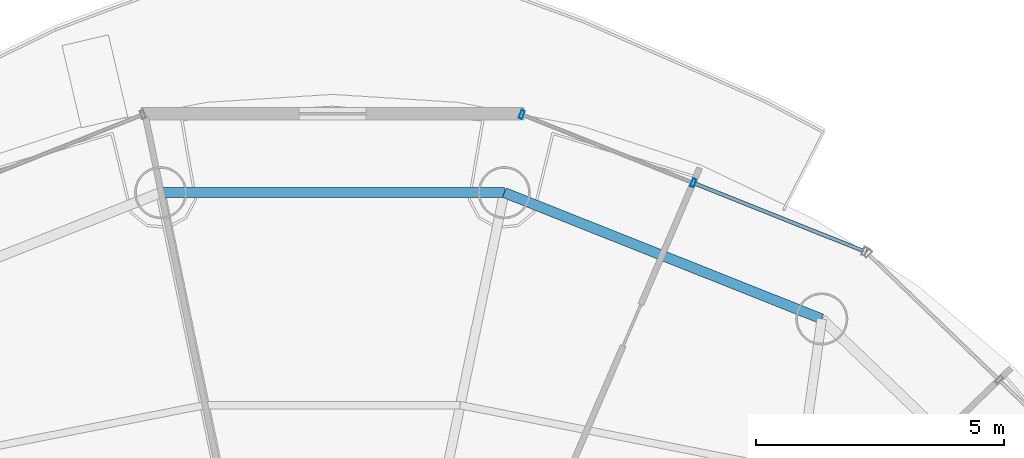
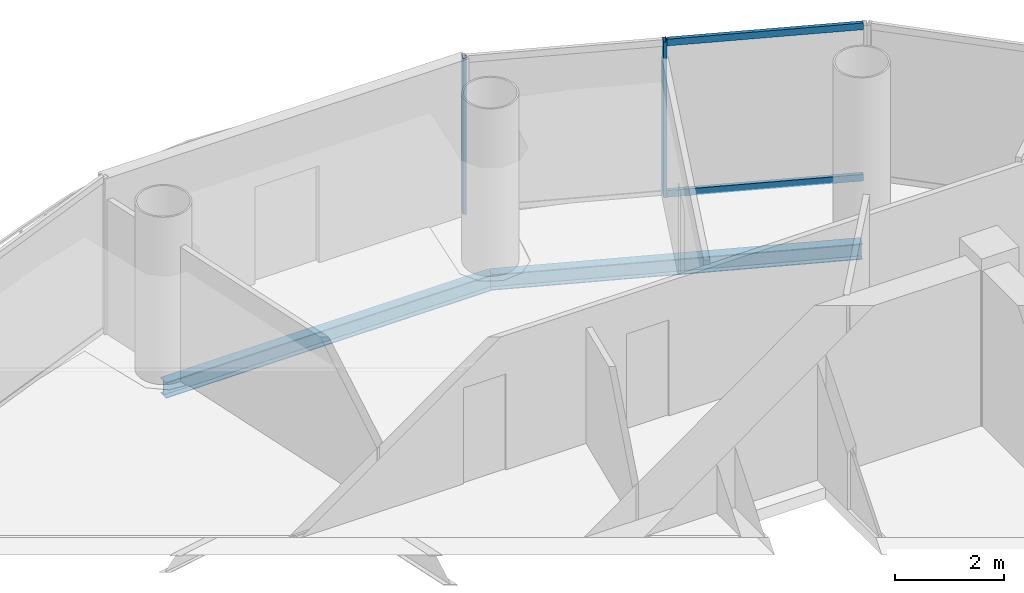
# One storey, part 14 of 23: 4 members, 2 beams, 1 element without a shape of its own.
"""IFC4 building model written with IfcOpenShell, lengths in metres."""

from ifc_helpers import new_model, si_unit, direction, frame, origin, origin_2d, place, context, subcontext, project, spatial, hollow_rectangle, i_section, extrude, source, transform, mapped, material, material_profile, profile_set, type_object, element, aggregate, save


model = new_model("IFC4")

# Units and contexts
model_context = context("Model", 3, precision=1e-05, world=origin(), true_north=direction((-0.2419218956, 0.970295726276)))
body_context = subcontext(model_context, "Body", "Model", "MODEL_VIEW")
ifc_project = project(units=[si_unit("LENGTHUNIT", "METRE"), si_unit("AREAUNIT", "SQUARE_METRE"), si_unit("VOLUMEUNIT", "CUBIC_METRE"), si_unit("PLANEANGLEUNIT", "RADIAN"), si_unit("MASSUNIT", "GRAM", prefix="KILO")], contexts=[model_context])

# Site, building, storey
site_placement = place(None, origin())
site = spatial("IfcSite", under=ifc_project, at=site_placement, CompositionType="ELEMENT")
building_placement = place(site_placement, origin())
building = spatial("IfcBuilding", under=site, at=building_placement, Name="Cobrevalo Terracotta Tower", CompositionType="ELEMENT")
storey_placement = place(building_placement, frame((0.0, 0.0, 263.199951171875)))
storey = spatial("IfcBuildingStorey", under=building, at=storey_placement, Name="L69", CompositionType="ELEMENT", Elevation=263.199951171875)

# Beams
ifc_material_1 = material(Name="Steel S355", Category="steel")
ifc_material_profile_1 = material_profile(ifc_material_1, i_section(OverallWidth=0.205078125, OverallDepth=0.35400390625, WebThickness=0.009521484375, FlangeThickness=0.016845703125, at=origin_2d()), Name="W 360x79")
ifc_profile_set_1 = profile_set([ifc_material_profile_1], Name="Steel S355")
beam_type = type_object("IfcBeamType", Name="Structural Spandrel W 360x79 (Steel S355)", PredefinedType="SPANDREL", material=ifc_profile_set_1)
beam_1_placement = place(storey_placement, frame((47.861328125, 40.9765625, -0.43701171875), z_axis=(-0.929149986048, 0.369702993533, 0.0), x_axis=(-0.369702993533, -0.929149986048, 0.0)))
element("IfcBeam", 1, at=beam_1_placement, inside=storey, type_object=beam_type, Name="L69 perimeter ring spandrel 03", PredefinedType="SPANDREL", context=body_context, shape_type="SweptSolid", body=[
    extrude(i_section(OverallWidth=0.205078125, OverallDepth=0.35400390625, WebThickness=0.009521484375, FlangeThickness=0.016845703125, at=origin_2d()), origin(), (0.0, 0.0, 1.0), 6.88623046875),
])
beam_2_placement = place(storey_placement, frame((41.462890625, 43.5224609375, -0.43701171875), z_axis=(-1.0, 0.0, 0.0), x_axis=(0.0, -1.0, 0.0)))
element("IfcBeam", 2, at=beam_2_placement, inside=storey, type_object=beam_type, Name="L69 perimeter ring spandrel 04", PredefinedType="SPANDREL", context=body_context, shape_type="SweptSolid", body=[
    extrude(i_section(OverallWidth=0.205078125, OverallDepth=0.35400390625, WebThickness=0.009521484375, FlangeThickness=0.016845703125, at=origin_2d()), origin(), (0.0, 0.0, 1.0), 6.92578125),
])

# Curtain wall, members
ifc_material_2 = material(Name="Anodized aluminium", Category="aluminium")
curtain_wall_type = type_object("IfcCurtainWallType", Name="Upper-tower triple-glazed penthouse curtain wall CW-U3", PredefinedType="NOTDEFINED", material=ifc_material_2)
curtain_wall_placement = place(storey_placement, origin())
curtain_wall = element("IfcCurtainWall", 3, at=curtain_wall_placement, inside=storey, type_object=curtain_wall_type, Name="L69 curtain wall CW-L69-S03", PredefinedType="NOTDEFINED")
ifc_material_profile_2 = material_profile(ifc_material_2, hollow_rectangle(XDim=0.070068359375, YDim=0.169921875, WallThickness=0.00439453125, at=origin_2d()), Name="CWM 70x170")
ifc_profile_set_2 = profile_set([ifc_material_profile_2], Name="Anodized aluminium")
member_type_1 = type_object("IfcMemberType", Name="Upper tower unitised mullion 70x170", PredefinedType="MULLION", material=ifc_profile_set_2)
shared_shape_1 = source(origin(), body_context, "Body", "SweptSolid", [
    extrude(hollow_rectangle(XDim=0.070068359375, YDim=0.169921875, WallThickness=0.00439453125, at=origin_2d()), origin(), (0.0, 0.0, 1.0), 3.489990234375),
])
member_1_placement = place(storey_placement, frame((45.270263671875, 43.71728515625, 0.0), z_axis=(0.0, 0.0, 1.0), x_axis=(-0.928718980883, 0.370784377433, 0.0)))
member_1 = element("IfcMember", 4, at=member_1_placement, type_object=member_type_1, Name="CW-L69-S03 vertical mullion 02", PredefinedType="MULLION", context=body_context, shape_type="MappedRepresentation", body=[
    mapped(shared_shape_1, transform((0.0, 0.0, 0.0), scale=1.0)),
])
member_2_placement = place(storey_placement, frame((41.816162109375, 45.096435546875, 0.0), z_axis=(0.0, 0.0, 1.0), x_axis=(-0.928718980883, 0.370784377433, 0.0)))
member_2 = element("IfcMember", 5, at=member_2_placement, type_object=member_type_1, Name="CW-L69-S03 vertical mullion 03", PredefinedType="MULLION", context=body_context, shape_type="MappedRepresentation", body=[
    mapped(shared_shape_1, transform((0.0, 0.0, 0.0), scale=1.0)),
])
ifc_material_profile_3 = material_profile(ifc_material_2, hollow_rectangle(XDim=0.074951171875, YDim=0.14990234375, WallThickness=0.00439453125, at=origin_2d()), Name="CWT 75x150")
ifc_profile_set_3 = profile_set([ifc_material_profile_3], Name="Anodized aluminium")
member_type_2 = type_object("IfcMemberType", Name="Tower unitised aluminium transom 75x150", PredefinedType="USERDEFINED", material=ifc_profile_set_3)
shared_shape_2 = source(origin(), body_context, "Body", "SweptSolid", [
    extrude(hollow_rectangle(XDim=0.074951171875, YDim=0.14990234375, WallThickness=0.00439453125, at=origin_2d()), origin(), (0.0, 0.0, 1.0), 3.63916015625),
])
member_3_placement = place(storey_placement, frame((48.68701171875, 42.353271484375, 0.050048828125), z_axis=(-0.928712471544, 0.370800681227, 0.0), x_axis=(-0.370800681227, -0.928712471544, 0.0)))
member_3 = element("IfcMember", 6, at=member_3_placement, type_object=member_type_2, Name="CW-L69-S03 transom B01-T1", ObjectType="TRANSOM", PredefinedType="USERDEFINED", context=body_context, shape_type="MappedRepresentation", body=[
    mapped(shared_shape_2, transform((0.0, 0.0, 0.0), scale=1.0)),
])
member_4_placement = place(storey_placement, frame((48.68701171875, 42.353271484375, 3.43994140625), z_axis=(-0.928712471544, 0.370800681227, 0.0), x_axis=(-0.370800681227, -0.928712471544, 0.0)))
member_4 = element("IfcMember", 7, at=member_4_placement, type_object=member_type_2, Name="CW-L69-S03 transom B01-T2", ObjectType="TRANSOM", PredefinedType="USERDEFINED", context=body_context, shape_type="MappedRepresentation", body=[
    mapped(shared_shape_2, transform((0.0, 0.0, 0.0), scale=1.0)),
])
aggregate(curtain_wall, [member_1, member_2, member_3, member_4])

save(model, "model.ifc")
